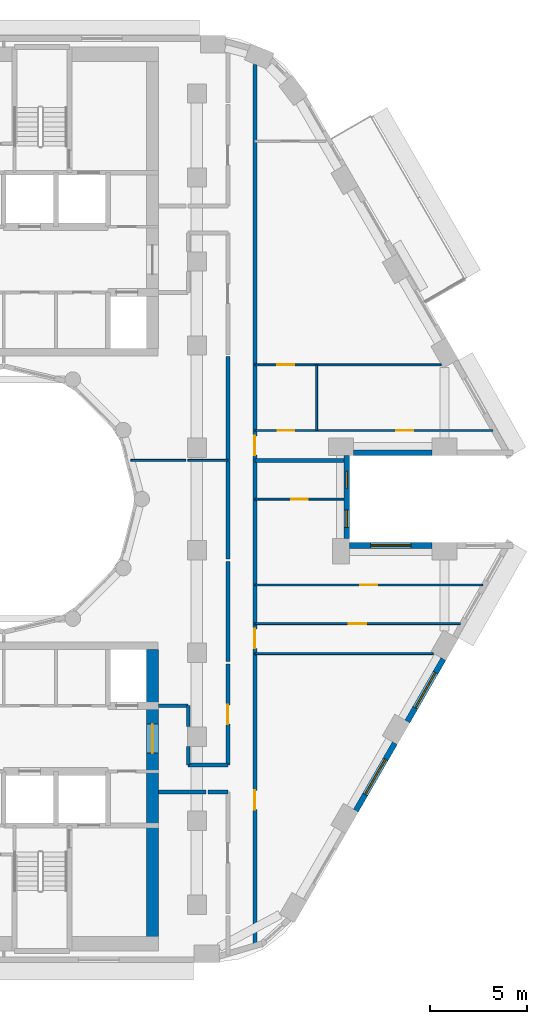
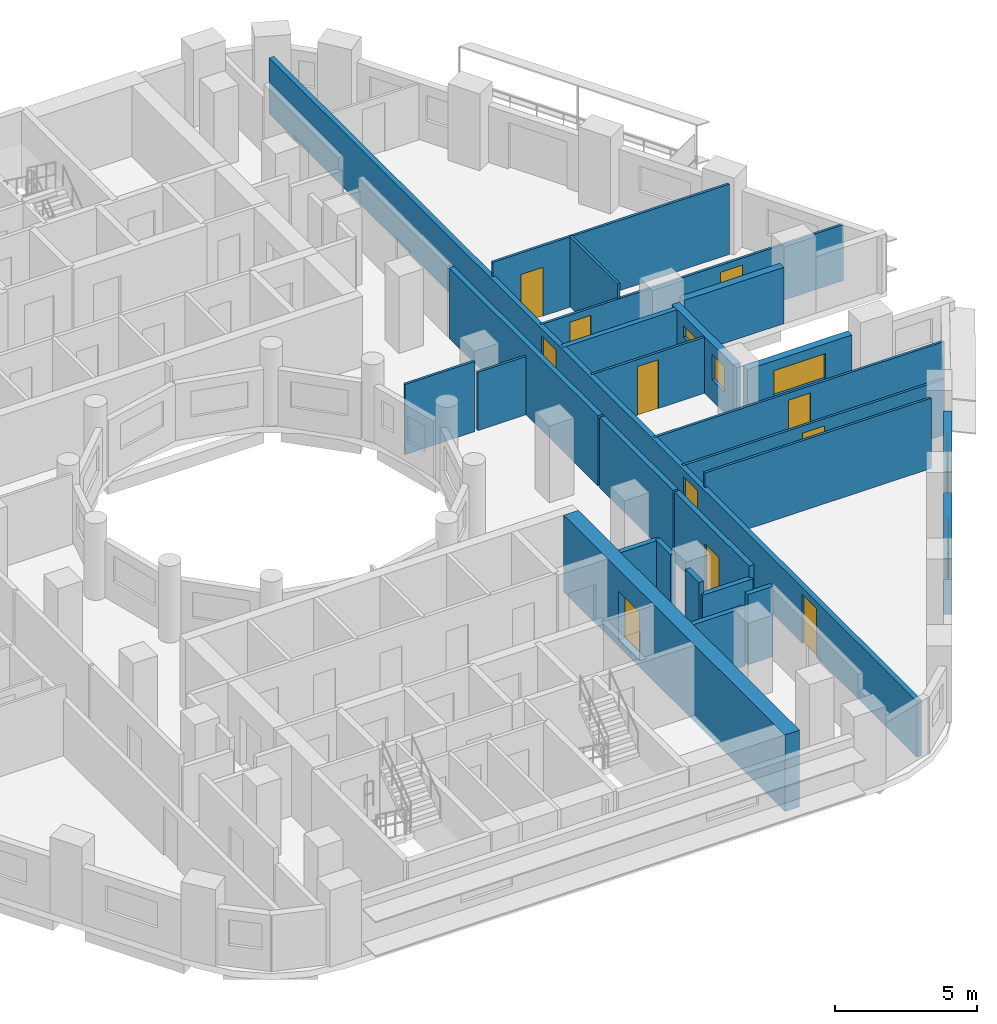
# One storey, part 6 of 14: 26 walls, 11 doors, 5 windows, 16 openings.
"""IFC4 building model written with IfcOpenShell, lengths in metres."""

from ifc_helpers import new_model, si_unit, direction, frame, frame_2d, origin, place, context, subcontext, project, spatial, rectangle, extrude, material, layer, layer_set, type_object, element, fill, save


model = new_model("IFC4")

# Units and contexts
model_context = context("Model", 3, precision=1e-05, world=origin(), true_north=direction((0.0, 1.0)))
body_context = subcontext(model_context, "Body", "Model", "MODEL_VIEW")
ifc_project = project(units=[si_unit("LENGTHUNIT", "METRE"), si_unit("AREAUNIT", "SQUARE_METRE"), si_unit("VOLUMEUNIT", "CUBIC_METRE"), si_unit("PLANEANGLEUNIT", "RADIAN"), si_unit("MASSUNIT", "GRAM", prefix="KILO")], contexts=[model_context])

# Site, building, storey
site_placement = place(None, origin())
site = spatial("IfcSite", under=ifc_project, at=site_placement, CompositionType="ELEMENT")
building_placement = place(site_placement, origin())
building = spatial("IfcBuilding", under=site, at=building_placement, Name="Nakaniwa Court", CompositionType="ELEMENT")
storey_placement = place(building_placement, frame((0.0, 0.0, 160.199951171875)))
storey = spatial("IfcBuildingStorey", under=building, at=storey_placement, Name="L42", CompositionType="ELEMENT", Elevation=160.199951171875)

# Wall, opening, door
ifc_material_1 = material(Name="Acoustic double stud partition")
ifc_layer_1 = layer(ifc_material_1, 0.199951171875)
ifc_layer_set_1 = layer_set([ifc_layer_1], Name="Acoustic double stud partition")
wall_type_1 = type_object("IfcWallType", Name="Acoustic double stud partition 200", PredefinedType="PARTITIONING", material=ifc_layer_set_1)
wall_1_placement = place(storey_placement, frame((91.60009765625, 66.22509765625, 0.0), z_axis=(0.0, 0.0, 1.0), x_axis=(0.0, 1.0, 0.0)))
wall_1 = element("IfcWall", 1, at=wall_1_placement, inside=storey, type_object=wall_type_1, Name="Partition PW-075", PredefinedType="PARTITIONING", context=body_context, shape_type="SweptSolid", body=[
    extrude(rectangle(XDim=5.247802734375, YDim=0.199951171875, at=frame_2d((2.6240234375, 0.0))), origin(), (0.0, 0.0, 1.0), 3.025146484375),
])
opening_1_placement = place(wall_1_placement, frame((2.123046875, 0.0, 0.0)))
opening_1 = element("IfcOpeningElement", 2, at=opening_1_placement, cuts=wall_1, Name="Opening D-02-03", PredefinedType="OPENING", context=body_context, shape_type="SweptSolid", body=[
    extrude(rectangle(XDim=1.0, YDim=2.10009765625, at=frame_2d((0.5, 1.050048828125))), frame((0.0, 0.10986328125, 0.0), z_axis=(0.0, -1.0, 0.0), x_axis=(1.0, 0.0, 0.0)), (0.0, 0.0, 1.0), 0.219970703125),
])
ifc_material_2 = material(Name="Solid core timber door set, black veneer", Category="wood")
door_type_1 = type_object("IfcDoorType", Name="Internal door 1000", OperationType="NOTDEFINED", PredefinedType="DOOR", material=ifc_material_2)
door_1_placement = place(opening_1_placement, origin())
door_1 = element("IfcDoor", 3, at=door_1_placement, inside=storey, type_object=door_type_1, Name="Door D-02-03 L42-031", OperationType="SINGLE_SWING_RIGHT", OverallHeight=2.10009765625, OverallWidth=1.0, PredefinedType="DOOR", context=body_context, shape_type="SweptSolid", body=[
    extrude(rectangle(XDim=1.0, YDim=2.10009765625, at=frame_2d((0.5, 1.050048828125))), frame((0.0, 0.02490234375, 0.0), z_axis=(0.0, -1.0, 0.0), x_axis=(1.0, 0.0, 0.0)), (0.0, 0.0, 1.0), 0.050048828125),
])
fill(opening_1, door_1)

# Walls
wall_2_placement = place(storey_placement, frame((91.60009765625, 71.587158203125, 0.0), z_axis=(0.0, 0.0, 1.0), x_axis=(0.0, 1.0, 0.0)))
element("IfcWall", 4, at=wall_2_placement, inside=storey, type_object=wall_type_1, Name="Partition PW-076", PredefinedType="PARTITIONING", context=body_context, shape_type="SweptSolid", body=[
    extrude(rectangle(XDim=5.185546875, YDim=0.199951171875, at=frame_2d((2.5927734375, 0.0))), origin(), (0.0, 0.0, 1.0), 3.025146484375),
])
wall_3_placement = place(storey_placement, frame((91.60009765625, 76.88720703125, 0.0), z_axis=(0.0, 0.0, 1.0), x_axis=(0.0, 1.0, 0.0)))
element("IfcWall", 5, at=wall_3_placement, inside=storey, type_object=wall_type_1, Name="Partition PW-077", PredefinedType="PARTITIONING", context=body_context, shape_type="SweptSolid", body=[
    extrude(rectangle(XDim=10.485595703125, YDim=0.199951171875, at=frame_2d((5.24267578125, 0.0))), origin(), (0.0, 0.0, 1.0), 3.025146484375),
])
wall_4_placement = place(storey_placement, frame((88.0, 64.824951171875, 0.0), z_axis=(0.0, 0.0, 1.0), x_axis=(1.0, 0.0, 0.0)))
element("IfcWall", 6, at=wall_4_placement, inside=storey, type_object=wall_type_1, Name="Partition PW-083", PredefinedType="PARTITIONING", context=body_context, shape_type="SweptSolid", body=[
    extrude(rectangle(XDim=2.462890625, YDim=0.199951171875, at=frame_2d((1.2314453125, 0.0))), origin(), (0.0, 0.0, 1.0), 2.505126953125),
])
wall_5_placement = place(storey_placement, frame((90.5771484375, 64.824951171875, 0.0), z_axis=(0.0, 0.0, 1.0), x_axis=(1.0, 0.0, 0.0)))
element("IfcWall", 7, at=wall_5_placement, inside=storey, type_object=wall_type_1, Name="Partition PW-084", PredefinedType="PARTITIONING", context=body_context, shape_type="SweptSolid", body=[
    extrude(rectangle(XDim=1.02294921875, YDim=0.199951171875, at=frame_2d((0.511474609375, 0.0))), origin(), (0.0, 0.0, 1.0), 3.025146484375),
])

# Wall, openings, doors
wall_6_placement = place(storey_placement, frame((93.0, 102.498046875, 0.0), z_axis=(0.0, 0.0, 1.0), x_axis=(0.0, -1.0, 0.0)))
wall_6 = element("IfcWall", 8, at=wall_6_placement, inside=storey, type_object=wall_type_1, Name="Partition PW-085", PredefinedType="PARTITIONING", context=body_context, shape_type="SweptSolid", body=[
    extrude(rectangle(XDim=45.664794921875, YDim=0.199951171875, at=frame_2d((22.83251953125, 0.0))), origin(), (0.0, 0.0, 1.0), 2.405029296875),
])
opening_2_placement = place(wall_6_placement, frame((37.5810546875, 0.0, 0.0)))
opening_2 = element("IfcOpeningElement", 9, at=opening_2_placement, cuts=wall_6, Name="Opening D-02-02", PredefinedType="OPENING", context=body_context, shape_type="SweptSolid", body=[
    extrude(rectangle(XDim=1.0, YDim=2.10009765625, at=frame_2d((0.5, 1.050048828125))), frame((0.0, 0.10986328125, 0.0), z_axis=(0.0, -1.0, 0.0), x_axis=(1.0, 0.0, 0.0)), (0.0, 0.0, 1.0), 0.219970703125),
])
opening_3_placement = place(wall_6_placement, frame((29.222900390625, 0.0, 0.0)))
opening_3 = element("IfcOpeningElement", 10, at=opening_3_placement, cuts=wall_6, Name="Opening D-01-01", PredefinedType="OPENING", context=body_context, shape_type="SweptSolid", body=[
    extrude(rectangle(XDim=1.0, YDim=2.10009765625, at=frame_2d((0.5, 1.050048828125))), frame((0.0, 0.10986328125, 0.0), z_axis=(0.0, -1.0, 0.0), x_axis=(1.0, 0.0, 0.0)), (0.0, 0.0, 1.0), 0.219970703125),
])
opening_4_placement = place(wall_6_placement, frame((19.222900390625, 0.0, 0.0)))
opening_4 = element("IfcOpeningElement", 11, at=opening_4_placement, cuts=wall_6, Name="Opening D-01-02", PredefinedType="OPENING", context=body_context, shape_type="SweptSolid", body=[
    extrude(rectangle(XDim=1.0, YDim=2.10009765625, at=frame_2d((0.5, 1.050048828125))), frame((0.0, 0.10986328125, 0.0), z_axis=(0.0, -1.0, 0.0), x_axis=(1.0, 0.0, 0.0)), (0.0, 0.0, 1.0), 0.219970703125),
])
door_type_2 = type_object("IfcDoorType", Name="Flat entrance door 1000", OperationType="NOTDEFINED", PredefinedType="DOOR", material=ifc_material_2)
door_2_placement = place(opening_3_placement, origin())
door_2 = element("IfcDoor", 12, at=door_2_placement, inside=storey, type_object=door_type_2, Name="Door D-01-01 L42-032", OperationType="SINGLE_SWING_LEFT", OverallHeight=2.10009765625, OverallWidth=1.0, PredefinedType="DOOR", context=body_context, shape_type="SweptSolid", body=[
    extrude(rectangle(XDim=1.0, YDim=2.10009765625, at=frame_2d((0.5, 1.050048828125))), frame((0.0, 0.02490234375, 0.0), z_axis=(0.0, -1.0, 0.0), x_axis=(1.0, 0.0, 0.0)), (0.0, 0.0, 1.0), 0.050048828125),
])
fill(opening_3, door_2)
door_3_placement = place(opening_4_placement, origin())
door_3 = element("IfcDoor", 13, at=door_3_placement, inside=storey, type_object=door_type_2, Name="Door D-01-02 L42-036", OperationType="SINGLE_SWING_LEFT", OverallHeight=2.10009765625, OverallWidth=1.0, PredefinedType="DOOR", context=body_context, shape_type="SweptSolid", body=[
    extrude(rectangle(XDim=1.0, YDim=2.10009765625, at=frame_2d((0.5, 1.050048828125))), frame((0.0, 0.02490234375, 0.0), z_axis=(0.0, -1.0, 0.0), x_axis=(1.0, 0.0, 0.0)), (0.0, 0.0, 1.0), 0.050048828125),
])
fill(opening_4, door_3)
door_4_placement = place(opening_2_placement, origin())
door_4 = element("IfcDoor", 14, at=door_4_placement, inside=storey, type_object=door_type_1, Name="Door D-02-02 L42-030", OperationType="SINGLE_SWING_LEFT", OverallHeight=2.10009765625, OverallWidth=1.0, PredefinedType="DOOR", context=body_context, shape_type="SweptSolid", body=[
    extrude(rectangle(XDim=1.0, YDim=2.10009765625, at=frame_2d((0.5, 1.050048828125))), frame((0.0, 0.02490234375, 0.0), z_axis=(0.0, -1.0, 0.0), x_axis=(1.0, 0.0, 0.0)), (0.0, 0.0, 1.0), 0.050048828125),
])
fill(opening_2, door_4)

# Walls
wall_7_placement = place(storey_placement, frame((88.0, 69.300048828125, 0.0), z_axis=(0.0, 0.0, 1.0), x_axis=(1.0, 0.0, 0.0)))
element("IfcWall", 15, at=wall_7_placement, inside=storey, type_object=wall_type_1, Name="Partition PW-087", PredefinedType="PARTITIONING", context=body_context, shape_type="SweptSolid", body=[
    extrude(rectangle(XDim=1.550048828125, YDim=0.199951171875, at=frame_2d((0.77490234375, 0.0))), origin(), (0.0, 0.0, 1.0), 3.025146484375),
])
wall_8_placement = place(storey_placement, frame((89.550048828125, 66.22509765625, 0.0), z_axis=(0.0, 0.0, 1.0), x_axis=(0.0, 1.0, 0.0)))
element("IfcWall", 16, at=wall_8_placement, inside=storey, type_object=wall_type_1, Name="Partition PW-088", PredefinedType="PARTITIONING", context=body_context, shape_type="SweptSolid", body=[
    extrude(rectangle(XDim=0.957763671875, YDim=0.199951171875, at=frame_2d((0.47900390625, 0.0))), origin(), (0.0, 0.0, 1.0), 3.025146484375),
])
wall_9_placement = place(storey_placement, frame((89.550048828125, 68.21728515625, 0.0), z_axis=(0.0, 0.0, 1.0), x_axis=(0.0, 1.0, 0.0)))
element("IfcWall", 17, at=wall_9_placement, inside=storey, type_object=wall_type_1, Name="Partition PW-089", PredefinedType="PARTITIONING", context=body_context, shape_type="SweptSolid", body=[
    extrude(rectangle(XDim=1.082763671875, YDim=0.199951171875, at=frame_2d((0.54150390625, 0.0))), origin(), (0.0, 0.0, 1.0), 3.025146484375),
])
wall_10_placement = place(storey_placement, frame((89.550048828125, 66.22509765625, 0.0), z_axis=(0.0, 0.0, 1.0), x_axis=(1.0, 0.0, 0.0)))
element("IfcWall", 18, at=wall_10_placement, inside=storey, type_object=wall_type_1, Name="Partition PW-093", PredefinedType="PARTITIONING", context=body_context, shape_type="SweptSolid", body=[
    extrude(rectangle(XDim=2.050048828125, YDim=0.199951171875, at=frame_2d((1.02490234375, 0.0))), origin(), (0.0, 0.0, 1.0), 2.505126953125),
])
wall_11_placement = place(storey_placement, frame((93.0009765625, 82.0, 0.0), z_axis=(0.0, 0.0, 1.0), x_axis=(1.0, 0.0, 0.0)))
element("IfcWall", 19, at=wall_11_placement, inside=storey, type_object=wall_type_1, Name="Partition PW-127", PredefinedType="PARTITIONING", context=body_context, shape_type="SweptSolid", body=[
    extrude(rectangle(XDim=4.607421875, YDim=0.199951171875, at=frame_2d((2.3037109375, 0.0))), origin(), (0.0, 0.0, 1.0), 2.405029296875),
])
ifc_material_3 = material(Name="Charcoal ceramic cladding")
ifc_layer_2 = layer(ifc_material_3, 0.02, Name="Ceramic cladding")
ifc_material_4 = material(Name="Ventilated air cavity")
ifc_layer_3 = layer(ifc_material_4, 0.04, ventilated=True, Name="Ventilated cavity")
ifc_material_5 = material(Name="Mineral wool insulation")
ifc_layer_4 = layer(ifc_material_5, 0.1, Name="Insulation")
ifc_material_6 = material(Name="Cement bonded sheathing board")
ifc_layer_5 = layer(ifc_material_6, 0.012, Name="Sheathing")
ifc_material_7 = material(Name="Cold-formed galvanised stud frame with mineral wool infill")
ifc_layer_6 = layer(ifc_material_7, 0.1, Name="Stud frame")
ifc_material_8 = material(Name="Fire-rated gypsum plasterboard lining")
ifc_layer_7 = layer(ifc_material_8, 0.028, Name="Lining")
ifc_layer_set_2 = layer_set([ifc_layer_2, ifc_layer_3, ifc_layer_4, ifc_layer_5, ifc_layer_6, ifc_layer_7], Name="Charcoal ceramic faced external wall system")
wall_type_2 = type_object("IfcWallType", Name="Black ceramic faced external wall 300", PredefinedType="SOLIDWALL", material=ifc_layer_set_2)
wall_12_placement = place(storey_placement, frame((98.1044921875, 82.39990234375, 0.0), z_axis=(0.0, 0.0, 1.0), x_axis=(1.0, 0.0, 0.0)))
element("IfcWall", 20, at=wall_12_placement, inside=storey, type_object=wall_type_2, Name="L42 external wall 00", PredefinedType="SOLIDWALL", context=body_context, shape_type="SweptSolid", body=[
    extrude(rectangle(XDim=4.072509765625, YDim=0.300048828125, at=frame_2d((2.0361328125, 0.0))), origin(), (0.0, 0.0, 1.0), 2.425048828125),
])

# Wall, opening, window
wall_13_placement = place(storey_placement, frame((98.228271484375, 63.872314453125, 0.0), z_axis=(0.0, 0.0, 1.0), x_axis=(0.500031546601, 0.86600718958, 0.0)))
wall_13 = element("IfcWall", 21, at=wall_13_placement, inside=storey, type_object=wall_type_2, Name="L42 external wall 30", PredefinedType="SOLIDWALL", context=body_context, shape_type="SweptSolid", body=[
    extrude(rectangle(XDim=4.033935546875, YDim=0.300048828125, at=frame_2d((2.01708984375, 0.0))), origin(), (0.0, 0.0, 1.0), 2.425048828125),
])
opening_5_placement = place(wall_13_placement, frame((0.966796875, 0.0, 0.89990234375)))
opening_5 = element("IfcOpeningElement", 22, at=opening_5_placement, cuts=wall_13, Name="Opening W7.27", PredefinedType="OPENING", context=body_context, shape_type="SweptSolid", body=[
    extrude(rectangle(XDim=2.10009765625, YDim=1.10009765625, at=frame_2d((1.050048828125, 0.550048828125))), frame((0.0, 0.159912109375, 0.0), z_axis=(0.0, -1.0, 0.0), x_axis=(1.0, 0.0, 0.0)), (0.0, 0.0, 1.0), 0.320068359375),
])
ifc_material_9 = material(Name="Black anodised aluminium frame with dark low-E laminated double glazing", Category="aluminium")
window_type_1 = type_object("IfcWindowType", Name="Dark glass window 2100x1100 sill 900", PartitioningType="SINGLE_PANEL", PredefinedType="WINDOW", material=ifc_material_9)
window_1_placement = place(opening_5_placement, origin())
window_1 = element("IfcWindow", 23, at=window_1_placement, inside=storey, type_object=window_type_1, Name="L42 habitable room window 30-0", OverallHeight=1.10009765625, OverallWidth=2.10009765625, PartitioningType="SINGLE_PANEL", PredefinedType="WINDOW", context=body_context, shape_type="SweptSolid", body=[
    extrude(rectangle(XDim=2.10009765625, YDim=1.10009765625, at=frame_2d((1.050048828125, 0.550048828125))), frame((0.0, 0.030029296875, 0.0), z_axis=(0.0, -1.0, 0.0), x_axis=(1.0, 0.0, 0.0)), (0.0, 0.0, 1.0), 0.06005859375),
])
fill(opening_5, window_1)

wall_14_placement = place(storey_placement, frame((100.891357421875, 68.484619140625, 0.0), z_axis=(0.0, 0.0, 1.0), x_axis=(0.499933594891, 0.866063739398, 0.0)))
wall_14 = element("IfcWall", 24, at=wall_14_placement, inside=storey, type_object=wall_type_2, Name="L42 external wall 31", PredefinedType="SOLIDWALL", context=body_context, shape_type="SweptSolid", body=[
    extrude(rectangle(XDim=3.73681640625, YDim=0.300048828125, at=frame_2d((1.868408203125, 0.0))), origin(), (0.0, 0.0, 1.0), 2.425048828125),
])
opening_6_placement = place(wall_14_placement, frame((0.818359375, 0.0, 0.89990234375)))
opening_6 = element("IfcOpeningElement", 25, at=opening_6_placement, cuts=wall_14, Name="Opening W7.28", PredefinedType="OPENING", context=body_context, shape_type="SweptSolid", body=[
    extrude(rectangle(XDim=2.10009765625, YDim=1.10009765625, at=frame_2d((1.050048828125, 0.550048828125))), frame((0.0, 0.159912109375, 0.0), z_axis=(0.0, -1.0, 0.0), x_axis=(1.0, 0.0, 0.0)), (0.0, 0.0, 1.0), 0.320068359375),
])
window_2_placement = place(opening_6_placement, origin())
window_2 = element("IfcWindow", 26, at=window_2_placement, inside=storey, type_object=window_type_1, Name="L42 habitable room window 31-0", OverallHeight=1.10009765625, OverallWidth=2.10009765625, PartitioningType="SINGLE_PANEL", PredefinedType="WINDOW", context=body_context, shape_type="SweptSolid", body=[
    extrude(rectangle(XDim=2.10009765625, YDim=1.10009765625, at=frame_2d((1.050048828125, 0.550048828125))), frame((0.0, 0.030029296875, 0.0), z_axis=(0.0, -1.0, 0.0), x_axis=(1.0, 0.0, 0.0)), (0.0, 0.0, 1.0), 0.06005859375),
])
fill(opening_6, window_2)

wall_15_placement = place(storey_placement, frame((102.177001953125, 77.60009765625, 0.0), z_axis=(0.0, 0.0, 1.0), x_axis=(-1.0, 0.0, 0.0)))
wall_15 = element("IfcWall", 27, at=wall_15_placement, inside=storey, type_object=wall_type_2, Name="L42 external wall 34", PredefinedType="SOLIDWALL", context=body_context, shape_type="SweptSolid", body=[
    extrude(rectangle(XDim=4.272705078125, YDim=0.300048828125, at=frame_2d((2.13623046875, 0.0))), origin(), (0.0, 0.0, 1.0), 2.425048828125),
])
opening_7_placement = place(wall_15_placement, frame((1.086181640625, 0.0, 0.89990234375)))
opening_7 = element("IfcOpeningElement", 28, at=opening_7_placement, cuts=wall_15, Name="Opening W7.32", PredefinedType="OPENING", context=body_context, shape_type="SweptSolid", body=[
    extrude(rectangle(XDim=2.10009765625, YDim=1.10009765625, at=frame_2d((1.050048828125, 0.550048828125))), frame((0.0, 0.159912109375, 0.0), z_axis=(0.0, -1.0, 0.0), x_axis=(1.0, 0.0, 0.0)), (0.0, 0.0, 1.0), 0.320068359375),
])
window_3_placement = place(opening_7_placement, origin())
window_3 = element("IfcWindow", 29, at=window_3_placement, inside=storey, type_object=window_type_1, Name="L42 living window 34-0", OverallHeight=1.10009765625, OverallWidth=2.10009765625, PartitioningType="SINGLE_PANEL", PredefinedType="WINDOW", context=body_context, shape_type="SweptSolid", body=[
    extrude(rectangle(XDim=2.10009765625, YDim=1.10009765625, at=frame_2d((1.050048828125, 0.550048828125))), frame((0.0, 0.030029296875, 0.0), z_axis=(0.0, -1.0, 0.0), x_axis=(1.0, 0.0, 0.0)), (0.0, 0.0, 1.0), 0.06005859375),
])
fill(opening_7, window_3)

# Wall, openings, windows
wall_16_placement = place(storey_placement, frame((97.75830078125, 77.946044921875, 0.0), z_axis=(0.0, 0.0, 1.0), x_axis=(0.0, 1.0, 0.0)))
wall_16 = element("IfcWall", 30, at=wall_16_placement, inside=storey, type_object=wall_type_2, Name="L42 external wall 35", PredefinedType="SOLIDWALL", context=body_context, shape_type="SweptSolid", body=[
    extrude(rectangle(XDim=4.307861328125, YDim=0.300048828125, at=frame_2d((2.15380859375, 0.0))), origin(), (0.0, 0.0, 1.0), 2.425048828125),
])
opening_8_placement = place(wall_16_placement, frame((0.58837890625, 0.0, 0.89990234375)))
opening_8 = element("IfcOpeningElement", 31, at=opening_8_placement, cuts=wall_16, Name="Opening W9.33", PredefinedType="OPENING", context=body_context, shape_type="SweptSolid", body=[
    extrude(rectangle(XDim=0.89990234375, YDim=1.10009765625, at=frame_2d((0.449951171875, 0.550048828125))), frame((0.0, 0.159912109375, 0.0), z_axis=(0.0, -1.0, 0.0), x_axis=(1.0, 0.0, 0.0)), (0.0, 0.0, 1.0), 0.320068359375),
])
opening_9_placement = place(wall_16_placement, frame((2.603271484375, 0.0, 1.5)))
opening_9 = element("IfcOpeningElement", 32, at=opening_9_placement, cuts=wall_16, Name="Opening W10.34", PredefinedType="OPENING", context=body_context, shape_type="SweptSolid", body=[
    extrude(rectangle(XDim=0.89990234375, YDim=0.5, at=frame_2d((0.449951171875, 0.25))), frame((0.0, 0.159912109375, 0.0), z_axis=(0.0, -1.0, 0.0), x_axis=(1.0, 0.0, 0.0)), (0.0, 0.0, 1.0), 0.320068359375),
])
window_type_2 = type_object("IfcWindowType", Name="Dark glass window 900x1100 sill 900", PartitioningType="SINGLE_PANEL", PredefinedType="WINDOW", material=ifc_material_9)
window_4_placement = place(opening_8_placement, origin())
window_4 = element("IfcWindow", 33, at=window_4_placement, inside=storey, type_object=window_type_2, Name="L42 living window 35-0", OverallHeight=1.10009765625, OverallWidth=0.89990234375, PartitioningType="SINGLE_PANEL", PredefinedType="WINDOW", context=body_context, shape_type="SweptSolid", body=[
    extrude(rectangle(XDim=0.89990234375, YDim=1.10009765625, at=frame_2d((0.449951171875, 0.550048828125))), frame((0.0, 0.030029296875, 0.0), z_axis=(0.0, -1.0, 0.0), x_axis=(1.0, 0.0, 0.0)), (0.0, 0.0, 1.0), 0.06005859375),
])
fill(opening_8, window_4)
window_type_3 = type_object("IfcWindowType", Name="Dark glass window 900x500 sill 1500", PartitioningType="SINGLE_PANEL", PredefinedType="WINDOW", material=ifc_material_9)
window_5_placement = place(opening_9_placement, origin())
window_5 = element("IfcWindow", 34, at=window_5_placement, inside=storey, type_object=window_type_3, Name="L42 bathroom window 35-1", OverallHeight=0.5, OverallWidth=0.89990234375, PartitioningType="SINGLE_PANEL", PredefinedType="WINDOW", context=body_context, shape_type="SweptSolid", body=[
    extrude(rectangle(XDim=0.89990234375, YDim=0.5, at=frame_2d((0.449951171875, 0.25))), frame((0.0, 0.030029296875, 0.0), z_axis=(0.0, -1.0, 0.0), x_axis=(1.0, 0.0, 0.0)), (0.0, 0.0, 1.0), 0.06005859375),
])
fill(opening_9, window_5)

# Wall, opening, door
ifc_material_10 = material(Name="Concrete C80/100", Category="concrete")
ifc_layer_8 = layer(ifc_material_10, 0.60009765625)
ifc_layer_set_3 = layer_set([ifc_layer_8], Name="Concrete C80/100")
wall_type_3 = type_object("IfcWallType", Name="Concrete core side wall 600 C80", PredefinedType="SHEAR", material=ifc_layer_set_3)
wall_17_placement = place(storey_placement, frame((87.699951171875, 72.199951171875, -0.27490234375), z_axis=(0.0, 0.0, 1.0), x_axis=(0.0, -1.0, 0.0)))
wall_17 = element("IfcWall", 35, at=wall_17_placement, inside=storey, type_object=wall_type_3, Name="Core wall SW-43", PredefinedType="SHEAR", context=body_context, shape_type="SweptSolid", body=[
    extrude(rectangle(XDim=15.599853515625, YDim=0.60009765625, at=frame_2d((7.7998046875, 0.0))), origin(), (0.0, 0.0, 1.0), 3.300048828125),
])
opening_10_placement = place(wall_17_placement, frame((3.85205078125, 0.0, 0.27490234375)))
opening_10 = element("IfcOpeningElement", 36, at=opening_10_placement, cuts=wall_17, Name="Opening D-07-03", PredefinedType="OPENING", context=body_context, shape_type="SweptSolid", body=[
    extrude(rectangle(XDim=1.5, YDim=2.10009765625, at=frame_2d((0.75, 1.050048828125))), frame((0.0, 0.31005859375, 0.0), z_axis=(0.0, -1.0, 0.0), x_axis=(1.0, 0.0, 0.0)), (0.0, 0.0, 1.0), 0.6201171875),
])
ifc_material_11 = material(Name="Glazed fire rated steel double door set", Category="steel")
door_type_3 = type_object("IfcDoorType", Name="Lobby double door 1500", OperationType="NOTDEFINED", PredefinedType="DOOR", material=ifc_material_11)
door_5_placement = place(opening_10_placement, origin())
door_5 = element("IfcDoor", 37, at=door_5_placement, inside=storey, type_object=door_type_3, Name="Door D-07-03 L42-060", OperationType="DOUBLE_DOOR_SINGLE_SWING", OverallHeight=2.10009765625, OverallWidth=1.5, PredefinedType="DOOR", context=body_context, shape_type="SweptSolid", body=[
    extrude(rectangle(XDim=1.5, YDim=2.10009765625, at=frame_2d((0.75, 1.050048828125))), frame((0.0, 0.02490234375, 0.0), z_axis=(0.0, -1.0, 0.0), x_axis=(1.0, 0.0, 0.0)), (0.0, 0.0, 1.0), 0.050048828125),
])
fill(opening_10, door_5)

# Walls
ifc_material_12 = material(Name="Single stud plasterboard partition")
ifc_layer_9 = layer(ifc_material_12, 0.10009765625)
ifc_layer_set_4 = layer_set([ifc_layer_9], Name="Single stud plasterboard partition")
wall_type_4 = type_object("IfcWallType", Name="Single stud plasterboard partition 100", PredefinedType="PARTITIONING", material=ifc_layer_set_4)
wall_18_placement = place(storey_placement, frame((93.0009765625, 72.0, 0.0), z_axis=(0.0, 0.0, 1.0), x_axis=(1.0, 0.0, 0.0)))
element("IfcWall", 38, at=wall_18_placement, inside=storey, type_object=wall_type_4, Name="Partition PW-120", PredefinedType="PARTITIONING", context=body_context, shape_type="SweptSolid", body=[
    extrude(rectangle(XDim=9.227294921875, YDim=0.10009765625, at=frame_2d((4.61376953125, 0.0))), origin(), (0.0, 0.0, 1.0), 3.025146484375),
])
wall_19_placement = place(storey_placement, frame((86.578125, 82.0, 0.0), z_axis=(0.0, 0.0, 1.0), x_axis=(1.0, 0.0, 0.0)))
element("IfcWall", 39, at=wall_19_placement, inside=storey, type_object=wall_type_4, Name="Partition PW-121", PredefinedType="PARTITIONING", context=body_context, shape_type="SweptSolid", body=[
    extrude(rectangle(XDim=2.844970703125, YDim=0.10009765625, at=frame_2d((1.42236328125, 0.0))), origin(), (0.0, 0.0, 1.0), 3.025146484375),
])
wall_20_placement = place(storey_placement, frame((89.537109375, 82.0, 0.0), z_axis=(0.0, 0.0, 1.0), x_axis=(1.0, 0.0, 0.0)))
element("IfcWall", 40, at=wall_20_placement, inside=storey, type_object=wall_type_4, Name="Partition PW-122", PredefinedType="PARTITIONING", context=body_context, shape_type="SweptSolid", body=[
    extrude(rectangle(XDim=2.06201171875, YDim=0.10009765625, at=frame_2d((1.031005859375, 0.0))), origin(), (0.0, 0.0, 1.0), 2.505126953125),
])

# Wall, opening, door
wall_21_placement = place(storey_placement, frame((93.0009765625, 73.550048828125, 0.0), z_axis=(0.0, 0.0, 1.0), x_axis=(1.0, 0.0, 0.0)))
wall_21 = element("IfcWall", 41, at=wall_21_placement, inside=storey, type_object=wall_type_4, Name="Partition PW-124", PredefinedType="PARTITIONING", context=body_context, shape_type="SweptSolid", body=[
    extrude(rectangle(XDim=10.6416015625, YDim=0.10009765625, at=frame_2d((5.32080078125, 0.0))), origin(), (0.0, 0.0, 1.0), 2.405029296875),
])
opening_11_placement = place(wall_21_placement, frame((4.87109375, 0.0, 0.0)))
opening_11 = element("IfcOpeningElement", 42, at=opening_11_placement, cuts=wall_21, Name="Opening D-33-01", PredefinedType="OPENING", context=body_context, shape_type="SweptSolid", body=[
    extrude(rectangle(XDim=0.89990234375, YDim=2.10009765625, at=frame_2d((0.449951171875, 1.050048828125))), frame((0.0, 0.06005859375, 0.0), z_axis=(0.0, -1.0, 0.0), x_axis=(1.0, 0.0, 0.0)), (0.0, 0.0, 1.0), 0.1201171875),
])
door_type_4 = type_object("IfcDoorType", Name="Internal door 900", OperationType="NOTDEFINED", PredefinedType="DOOR", material=ifc_material_2)
door_6_placement = place(opening_11_placement, origin())
door_6 = element("IfcDoor", 43, at=door_6_placement, inside=storey, type_object=door_type_4, Name="Door D-33-01 L42-033", OperationType="SINGLE_SWING_RIGHT", OverallHeight=2.10009765625, OverallWidth=0.89990234375, PredefinedType="DOOR", context=body_context, shape_type="SweptSolid", body=[
    extrude(rectangle(XDim=0.89990234375, YDim=2.10009765625, at=frame_2d((0.449951171875, 1.050048828125))), frame((0.0, 0.02490234375, 0.0), z_axis=(0.0, -1.0, 0.0), x_axis=(1.0, 0.0, 0.0)), (0.0, 0.0, 1.0), 0.050048828125),
])
fill(opening_11, door_6)

wall_22_placement = place(storey_placement, frame((93.0009765625, 75.551025390625, 0.0), z_axis=(0.0, 0.0, 1.0), x_axis=(1.0, 0.0, 0.0)))
wall_22 = element("IfcWall", 44, at=wall_22_placement, inside=storey, type_object=wall_type_4, Name="Partition PW-125", PredefinedType="PARTITIONING", context=body_context, shape_type="SweptSolid", body=[
    extrude(rectangle(XDim=11.797119140625, YDim=0.10009765625, at=frame_2d((5.8984375, 0.0))), origin(), (0.0, 0.0, 1.0), 2.405029296875),
])
opening_12_placement = place(wall_22_placement, frame((5.447998046875, 0.0, 0.0)))
opening_12 = element("IfcOpeningElement", 45, at=opening_12_placement, cuts=wall_22, Name="Opening D-33-02", PredefinedType="OPENING", context=body_context, shape_type="SweptSolid", body=[
    extrude(rectangle(XDim=0.89990234375, YDim=2.10009765625, at=frame_2d((0.449951171875, 1.050048828125))), frame((0.0, 0.06005859375, 0.0), z_axis=(0.0, -1.0, 0.0), x_axis=(1.0, 0.0, 0.0)), (0.0, 0.0, 1.0), 0.1201171875),
])
door_7_placement = place(opening_12_placement, origin())
door_7 = element("IfcDoor", 46, at=door_7_placement, inside=storey, type_object=door_type_4, Name="Door D-33-02 L42-034", OperationType="SINGLE_SWING_LEFT", OverallHeight=2.10009765625, OverallWidth=0.89990234375, PredefinedType="DOOR", context=body_context, shape_type="SweptSolid", body=[
    extrude(rectangle(XDim=0.89990234375, YDim=2.10009765625, at=frame_2d((0.449951171875, 1.050048828125))), frame((0.0, 0.02490234375, 0.0), z_axis=(0.0, -1.0, 0.0), x_axis=(1.0, 0.0, 0.0)), (0.0, 0.0, 1.0), 0.050048828125),
])
fill(opening_12, door_7)

wall_23_placement = place(storey_placement, frame((93.0009765625, 79.9990234375, 0.0), z_axis=(0.0, 0.0, 1.0), x_axis=(1.0, 0.0, 0.0)))
wall_23 = element("IfcWall", 47, at=wall_23_placement, inside=storey, type_object=wall_type_4, Name="Partition PW-126", PredefinedType="PARTITIONING", context=body_context, shape_type="SweptSolid", body=[
    extrude(rectangle(XDim=4.607421875, YDim=0.10009765625, at=frame_2d((2.3037109375, 0.0))), origin(), (0.0, 0.0, 1.0), 2.405029296875),
])
opening_13_placement = place(wall_23_placement, frame((1.87890625, 0.0, 0.0)))
opening_13 = element("IfcOpeningElement", 48, at=opening_13_placement, cuts=wall_23, Name="Opening D-03-01", PredefinedType="OPENING", context=body_context, shape_type="SweptSolid", body=[
    extrude(rectangle(XDim=0.85009765625, YDim=2.10009765625, at=frame_2d((0.425048828125, 1.050048828125))), frame((0.0, 0.06005859375, 0.0), z_axis=(0.0, -1.0, 0.0), x_axis=(1.0, 0.0, 0.0)), (0.0, 0.0, 1.0), 0.1201171875),
])
ifc_material_13 = material(Name="Moisture sealed timber door set", Category="wood")
door_type_5 = type_object("IfcDoorType", Name="Bathroom door 850", OperationType="NOTDEFINED", PredefinedType="DOOR", material=ifc_material_13)
door_8_placement = place(opening_13_placement, origin())
door_8 = element("IfcDoor", 49, at=door_8_placement, inside=storey, type_object=door_type_5, Name="Door D-03-01 L42-035", OperationType="SINGLE_SWING_RIGHT", OverallHeight=2.10009765625, OverallWidth=0.85009765625, PredefinedType="DOOR", context=body_context, shape_type="SweptSolid", body=[
    extrude(rectangle(XDim=0.85009765625, YDim=2.10009765625, at=frame_2d((0.425048828125, 1.050048828125))), frame((0.0, 0.02490234375, 0.0), z_axis=(0.0, -1.0, 0.0), x_axis=(1.0, 0.0, 0.0)), (0.0, 0.0, 1.0), 0.050048828125),
])
fill(opening_13, door_8)

# Wall, openings, doors
wall_24_placement = place(storey_placement, frame((93.0009765625, 83.550048828125, 0.0), z_axis=(0.0, 0.0, 1.0), x_axis=(1.0, 0.0, 0.0)))
wall_24 = element("IfcWall", 50, at=wall_24_placement, inside=storey, type_object=wall_type_4, Name="Partition PW-128", PredefinedType="PARTITIONING", context=body_context, shape_type="SweptSolid", body=[
    extrude(rectangle(XDim=12.31591796875, YDim=0.10009765625, at=frame_2d((6.157958984375, 0.0))), origin(), (0.0, 0.0, 1.0), 2.405029296875),
])
opening_14_placement = place(wall_24_placement, frame((1.175048828125, 0.0, 0.0)))
opening_14 = element("IfcOpeningElement", 51, at=opening_14_placement, cuts=wall_24, Name="Opening D-03-02", PredefinedType="OPENING", context=body_context, shape_type="SweptSolid", body=[
    extrude(rectangle(XDim=0.85009765625, YDim=2.10009765625, at=frame_2d((0.425048828125, 1.050048828125))), frame((0.0, 0.06005859375, 0.0), z_axis=(0.0, -1.0, 0.0), x_axis=(1.0, 0.0, 0.0)), (0.0, 0.0, 1.0), 0.1201171875),
])
opening_15_placement = place(wall_24_placement, frame((7.30810546875, 0.0, 0.0)))
opening_15 = element("IfcOpeningElement", 52, at=opening_15_placement, cuts=wall_24, Name="Opening D-33-03", PredefinedType="OPENING", context=body_context, shape_type="SweptSolid", body=[
    extrude(rectangle(XDim=0.89990234375, YDim=2.10009765625, at=frame_2d((0.449951171875, 1.050048828125))), frame((0.0, 0.06005859375, 0.0), z_axis=(0.0, -1.0, 0.0), x_axis=(1.0, 0.0, 0.0)), (0.0, 0.0, 1.0), 0.1201171875),
])
door_9_placement = place(opening_14_placement, origin())
door_9 = element("IfcDoor", 53, at=door_9_placement, inside=storey, type_object=door_type_5, Name="Door D-03-02 L42-037", OperationType="SINGLE_SWING_RIGHT", OverallHeight=2.10009765625, OverallWidth=0.85009765625, PredefinedType="DOOR", context=body_context, shape_type="SweptSolid", body=[
    extrude(rectangle(XDim=0.85009765625, YDim=2.10009765625, at=frame_2d((0.425048828125, 1.050048828125))), frame((0.0, 0.02490234375, 0.0), z_axis=(0.0, -1.0, 0.0), x_axis=(1.0, 0.0, 0.0)), (0.0, 0.0, 1.0), 0.050048828125),
])
fill(opening_14, door_9)
door_10_placement = place(opening_15_placement, origin())
door_10 = element("IfcDoor", 54, at=door_10_placement, inside=storey, type_object=door_type_4, Name="Door D-33-03 L42-038", OperationType="SINGLE_SWING_LEFT", OverallHeight=2.10009765625, OverallWidth=0.89990234375, PredefinedType="DOOR", context=body_context, shape_type="SweptSolid", body=[
    extrude(rectangle(XDim=0.89990234375, YDim=2.10009765625, at=frame_2d((0.449951171875, 1.050048828125))), frame((0.0, 0.02490234375, 0.0), z_axis=(0.0, -1.0, 0.0), x_axis=(1.0, 0.0, 0.0)), (0.0, 0.0, 1.0), 0.050048828125),
])
fill(opening_15, door_10)

# Wall
wall_25_placement = place(storey_placement, frame((96.200927734375, 83.550048828125, 0.0), z_axis=(0.0, 0.0, 1.0), x_axis=(0.0, 1.0, 0.0)))
element("IfcWall", 55, at=wall_25_placement, inside=storey, type_object=wall_type_4, Name="Partition PW-129", PredefinedType="PARTITIONING", context=body_context, shape_type="SweptSolid", body=[
    extrude(rectangle(XDim=3.39990234375, YDim=0.10009765625, at=frame_2d((1.699951171875, 0.0))), origin(), (0.0, 0.0, 1.0), 3.025146484375),
])

# Wall, opening, door
wall_26_placement = place(storey_placement, frame((93.0009765625, 86.949951171875, 0.0), z_axis=(0.0, 0.0, 1.0), x_axis=(1.0, 0.0, 0.0)))
wall_26 = element("IfcWall", 56, at=wall_26_placement, inside=storey, type_object=wall_type_4, Name="Partition PW-130", PredefinedType="PARTITIONING", context=body_context, shape_type="SweptSolid", body=[
    extrude(rectangle(XDim=9.636962890625, YDim=0.10009765625, at=frame_2d((4.818359375, 0.0))), origin(), (0.0, 0.0, 1.0), 3.025146484375),
])
opening_16_placement = place(wall_26_placement, frame((1.15087890625, 0.0, 0.0)))
opening_16 = element("IfcOpeningElement", 57, at=opening_16_placement, cuts=wall_26, Name="Opening D-33-04", PredefinedType="OPENING", context=body_context, shape_type="SweptSolid", body=[
    extrude(rectangle(XDim=0.89990234375, YDim=2.10009765625, at=frame_2d((0.449951171875, 1.050048828125))), frame((0.0, 0.06005859375, 0.0), z_axis=(0.0, -1.0, 0.0), x_axis=(1.0, 0.0, 0.0)), (0.0, 0.0, 1.0), 0.1201171875),
])
door_11_placement = place(opening_16_placement, origin())
door_11 = element("IfcDoor", 58, at=door_11_placement, inside=storey, type_object=door_type_4, Name="Door D-33-04 L42-039", OperationType="SINGLE_SWING_RIGHT", OverallHeight=2.10009765625, OverallWidth=0.89990234375, PredefinedType="DOOR", context=body_context, shape_type="SweptSolid", body=[
    extrude(rectangle(XDim=0.89990234375, YDim=2.10009765625, at=frame_2d((0.449951171875, 1.050048828125))), frame((0.0, 0.02490234375, 0.0), z_axis=(0.0, -1.0, 0.0), x_axis=(1.0, 0.0, 0.0)), (0.0, 0.0, 1.0), 0.050048828125),
])
fill(opening_16, door_11)

save(model, "model.ifc")
